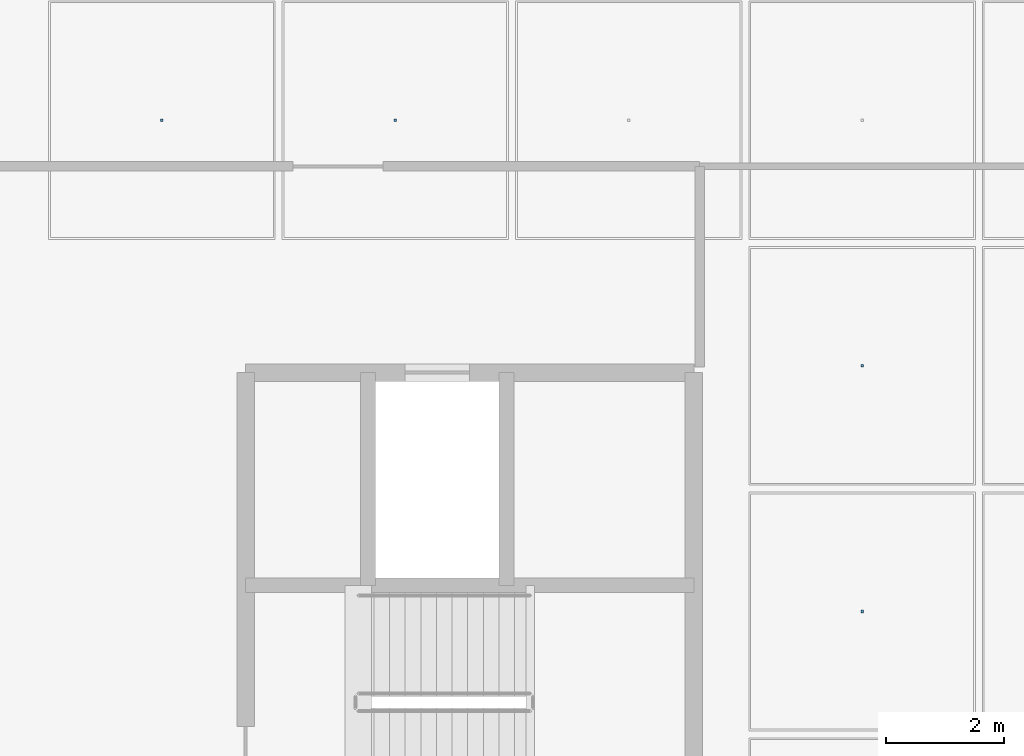
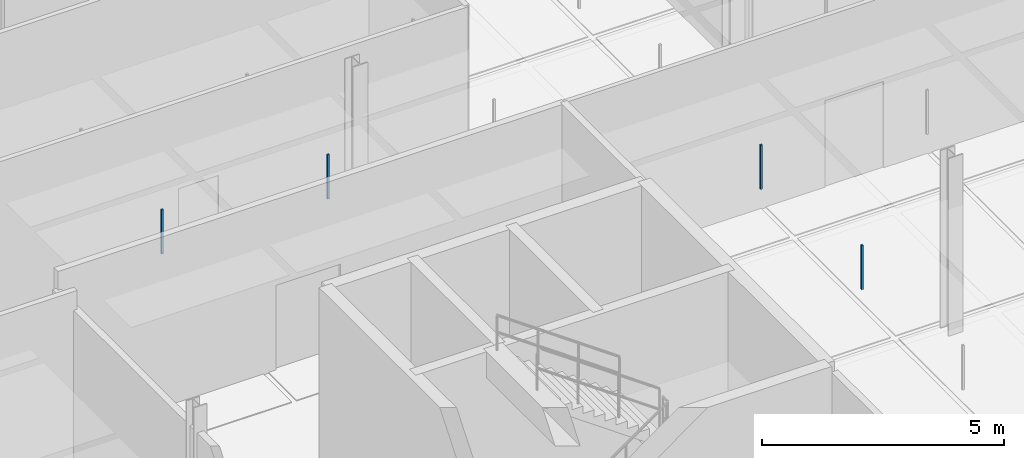
# One storey, part 102 of 130: 4 discrete accessories.
"""IFC4 building model written with IfcOpenShell, lengths in metres."""

from ifc_helpers import new_model, si_unit, direction, frame, origin, origin_2d, place, context, subcontext, project, spatial, rectangle, extrude, material, type_object, element, save


model = new_model("IFC4")

# Units and contexts
model_context = context("Model", 3, precision=1e-05, world=origin(), true_north=direction((0.0, 1.0)))
body_context = subcontext(model_context, "Body", "Model", "MODEL_VIEW")
ifc_project = project(units=[si_unit("LENGTHUNIT", "METRE"), si_unit("AREAUNIT", "SQUARE_METRE"), si_unit("VOLUMEUNIT", "CUBIC_METRE"), si_unit("PLANEANGLEUNIT", "RADIAN"), si_unit("MASSUNIT", "GRAM", prefix="KILO"), si_unit("THERMODYNAMICTEMPERATUREUNIT", "KELVIN"), si_unit("POWERUNIT", "WATT")], contexts=[model_context])

# Site, building, storey
site_placement = place(None, origin())
site = spatial("IfcSite", under=ifc_project, at=site_placement, CompositionType="ELEMENT")
building_placement = place(site_placement, origin())
building = spatial("IfcBuilding", under=site, at=building_placement, Name="Tallowbark Science Centre", CompositionType="ELEMENT")
storey_placement = place(building_placement, frame((0.0, 0.0, 5.39990234375)))
storey = spatial("IfcBuildingStorey", under=building, at=storey_placement, Name="L01", CompositionType="ELEMENT", Elevation=5.39990234375)

# Discrete accessories
ifc_material = material(Name="Galvanised Steel Grade C350L0 (350 MPa)", Category="steel")
discrete_accessory_type = type_object("IfcDiscreteAccessoryType", Name="ACC-CLG-HNG", PredefinedType="BRACKET", material=ifc_material)
for number, where, z_axis, x_axis, name in (
    (1, (115.479248046875, 87.583251953125, 3.2060546875), (0.0, 0.0, 1.0), (1.0, 0.0, 0.0), "Ceiling Hanger Bracket L01-687"),
    (2, (119.4375, 87.583251953125, 3.2060546875), (0.0, 0.0, 1.0), (1.0, 0.0, 0.0), "Ceiling Hanger Bracket L01-690"),
    (3, (127.354248046875, 79.25, 3.2060546875), (0.0, 0.0, 1.0), (1.0, 0.0, 0.0), "Ceiling Hanger Bracket L01-697"),
    (4, (127.354248046875, 83.416748046875, 3.2060546875), (0.0, 0.0, 1.0), (1.0, 0.0, 0.0), "Ceiling Hanger Bracket L01-698"),
):
    element("IfcDiscreteAccessory", number, at=place(storey_placement, frame(where, z_axis=z_axis, x_axis=x_axis)), inside=storey, type_object=discrete_accessory_type, Name=name, PredefinedType="BRACKET", context=body_context, shape_type="SweptSolid", body=[
        extrude(rectangle(XDim=0.044921875, YDim=0.044921875, at=origin_2d()), origin(), (0.0, 0.0, 1.0), 1.116943359375),
    ])

save(model, "model.ifc")
